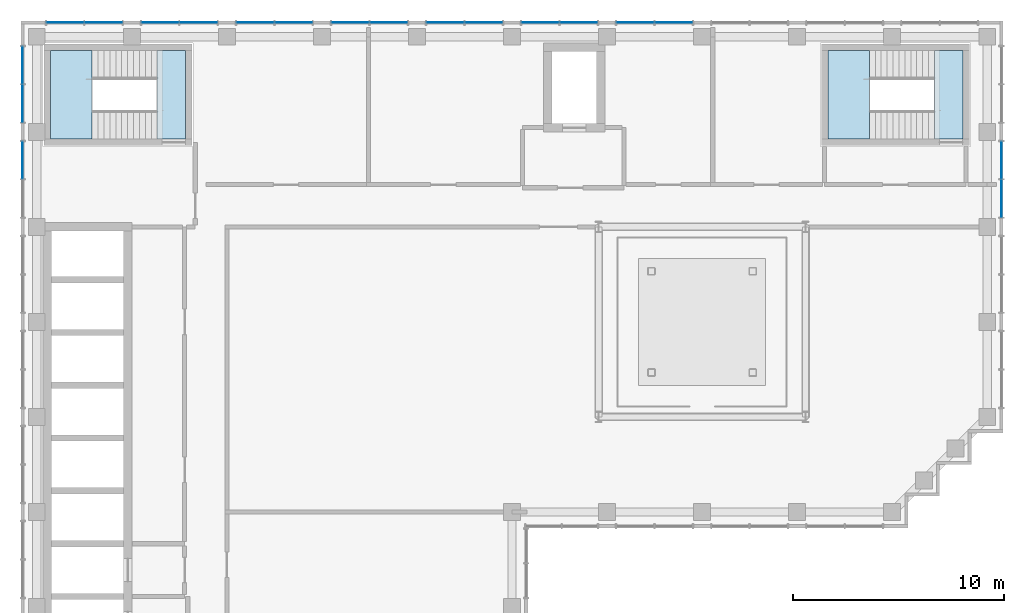
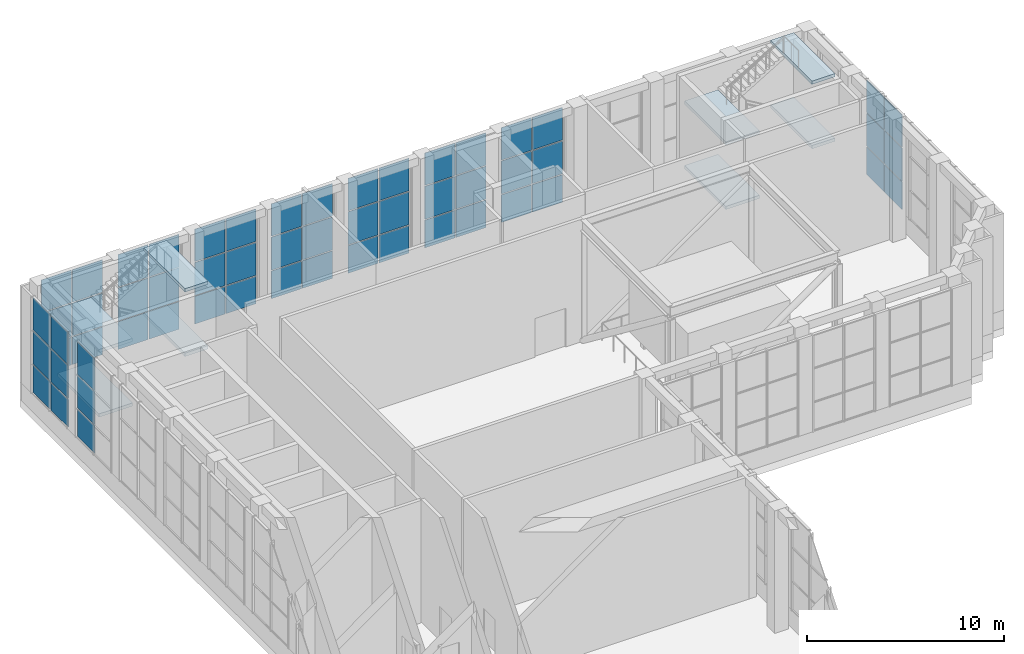
# One storey, part 11 of 17: 57 plates, 8 slabs, 12 elements without a shape of their own.
"""IFC4 building model written with IfcOpenShell, lengths in metres."""

from ifc_helpers import new_model, si_unit, direction, frame, origin, origin_2d, place, context, subcontext, project, spatial, polyline, rectangle, outline, extrude, material, layer, layer_set, type_object, element, aggregate, save


model = new_model("IFC4")

# Units and contexts
model_context = context("Model", 3, precision=1e-05, world=origin(), true_north=direction((0.0, 1.0)))
body_context = subcontext(model_context, "Body", "Model", "MODEL_VIEW")
ifc_project = project(units=[si_unit("LENGTHUNIT", "METRE"), si_unit("AREAUNIT", "SQUARE_METRE"), si_unit("VOLUMEUNIT", "CUBIC_METRE"), si_unit("PLANEANGLEUNIT", "RADIAN"), si_unit("MASSUNIT", "GRAM", prefix="KILO")], contexts=[model_context])

# Site, building, storey
site_placement = place(None, origin())
site = spatial("IfcSite", under=ifc_project, at=site_placement, CompositionType="ELEMENT")
building_placement = place(site_placement, origin())
building = spatial("IfcBuilding", under=site, at=building_placement, Name="Firuza Court", CompositionType="ELEMENT")
storey_placement = place(building_placement, frame((0.0, 0.0, 258.199951171875)))
storey = spatial("IfcBuildingStorey", under=building, at=storey_placement, Name="L67", CompositionType="ELEMENT", Elevation=258.199951171875)

# Curtain wall, plates
ifc_material_1 = material(Name="Aluminium curtain wall, triple clear glazing", Category="aluminium")
curtain_wall_type = type_object("IfcCurtainWallType", Name="Damper hall structural glazing CW4", PredefinedType="NOTDEFINED", material=ifc_material_1)
curtain_wall_1_placement = place(storey_placement, origin())
curtain_wall_1 = element("IfcCurtainWall", 1, at=curtain_wall_1_placement, inside=storey, type_object=curtain_wall_type, Name="Damper hall structural glazing CW4 L67", PredefinedType="NOTDEFINED")
ifc_material_2 = material(Name="Triple clear glazing", Category="glass")
ifc_layer_1 = layer(ifc_material_2, 0.031982421875)
ifc_layer_set_1 = layer_set([ifc_layer_1], Name="Triple clear glazing")
plate_type = type_object("IfcPlateType", Name="Glazed panel 32 CW4", PredefinedType="CURTAIN_PANEL", material=ifc_layer_set_1)
plate_1_placement = place(storey_placement, frame((45.669921875, 50.840087890625, 1.16015625), z_axis=(0.0, 0.0, 1.0), x_axis=(0.0, 1.0, 0.0)))
plate_1 = element("IfcPlate", 2, at=plate_1_placement, type_object=plate_type, Name="CW4 panel 1.1", PredefinedType="CURTAIN_PANEL", context=body_context, shape_type="SweptSolid", body=[
    extrude(rectangle(XDim=1.760009765625, YDim=0.031982421875, at=origin_2d()), origin(), (0.0, 0.0, 1.0), 1.7099609375),
])
plate_2_placement = place(storey_placement, frame((45.669921875, 50.840087890625, 2.929931640625), z_axis=(0.0, 0.0, 1.0), x_axis=(0.0, 1.0, 0.0)))
plate_2 = element("IfcPlate", 3, at=plate_2_placement, type_object=plate_type, Name="CW4 panel 1.2", PredefinedType="CURTAIN_PANEL", context=body_context, shape_type="SweptSolid", body=[
    extrude(rectangle(XDim=1.760009765625, YDim=0.031982421875, at=origin_2d()), origin(), (0.0, 0.0, 1.0), 2.0400390625),
])
plate_3_placement = place(storey_placement, frame((45.669921875, 50.840087890625, 5.0302734375), z_axis=(0.0, 0.0, 1.0), x_axis=(0.0, 1.0, 0.0)))
plate_3 = element("IfcPlate", 4, at=plate_3_placement, type_object=plate_type, Name="CW4 panel 1.3", PredefinedType="CURTAIN_PANEL", context=body_context, shape_type="SweptSolid", body=[
    extrude(rectangle(XDim=1.760009765625, YDim=0.031982421875, at=origin_2d()), origin(), (0.0, 0.0, 1.0), 2.010009765625),
])
plate_4_placement = place(storey_placement, frame((45.669921875, 52.659912109375, 1.16015625), z_axis=(0.0, 0.0, 1.0), x_axis=(0.0, 1.0, 0.0)))
plate_4 = element("IfcPlate", 5, at=plate_4_placement, type_object=plate_type, Name="CW4 panel 2.1", PredefinedType="CURTAIN_PANEL", context=body_context, shape_type="SweptSolid", body=[
    extrude(rectangle(XDim=1.760009765625, YDim=0.031982421875, at=origin_2d()), origin(), (0.0, 0.0, 1.0), 1.7099609375),
])
plate_5_placement = place(storey_placement, frame((45.669921875, 52.659912109375, 2.929931640625), z_axis=(0.0, 0.0, 1.0), x_axis=(0.0, 1.0, 0.0)))
plate_5 = element("IfcPlate", 6, at=plate_5_placement, type_object=plate_type, Name="CW4 panel 2.2", PredefinedType="CURTAIN_PANEL", context=body_context, shape_type="SweptSolid", body=[
    extrude(rectangle(XDim=1.760009765625, YDim=0.031982421875, at=origin_2d()), origin(), (0.0, 0.0, 1.0), 2.0400390625),
])
plate_6_placement = place(storey_placement, frame((45.669921875, 52.659912109375, 5.0302734375), z_axis=(0.0, 0.0, 1.0), x_axis=(0.0, 1.0, 0.0)))
plate_6 = element("IfcPlate", 7, at=plate_6_placement, type_object=plate_type, Name="CW4 panel 2.3", PredefinedType="CURTAIN_PANEL", context=body_context, shape_type="SweptSolid", body=[
    extrude(rectangle(XDim=1.760009765625, YDim=0.031982421875, at=origin_2d()), origin(), (0.0, 0.0, 1.0), 2.010009765625),
])
aggregate(curtain_wall_1, [plate_1, plate_2, plate_3, plate_4, plate_5, plate_6])

curtain_wall_2_placement = place(storey_placement, origin())
curtain_wall_2 = element("IfcCurtainWall", 8, at=curtain_wall_2_placement, inside=storey, type_object=curtain_wall_type, Name="Damper hall structural glazing CW4 L67", PredefinedType="NOTDEFINED")
plate_7_placement = place(storey_placement, frame((30.159912109375, 59.169921875, 1.16015625), z_axis=(0.0, 0.0, 1.0), x_axis=(-1.0, 0.0, 0.0)))
plate_7 = element("IfcPlate", 9, at=plate_7_placement, type_object=plate_type, Name="CW4 panel 1.1", PredefinedType="CURTAIN_PANEL", context=body_context, shape_type="SweptSolid", body=[
    extrude(rectangle(XDim=1.760009765625, YDim=0.031982421875, at=origin_2d()), origin(), (0.0, 0.0, 1.0), 1.7099609375),
])
plate_8_placement = place(storey_placement, frame((30.159912109375, 59.169921875, 2.929931640625), z_axis=(0.0, 0.0, 1.0), x_axis=(-1.0, 0.0, 0.0)))
plate_8 = element("IfcPlate", 10, at=plate_8_placement, type_object=plate_type, Name="CW4 panel 1.2", PredefinedType="CURTAIN_PANEL", context=body_context, shape_type="SweptSolid", body=[
    extrude(rectangle(XDim=1.760009765625, YDim=0.031982421875, at=origin_2d()), origin(), (0.0, 0.0, 1.0), 2.0400390625),
])
plate_9_placement = place(storey_placement, frame((30.159912109375, 59.169921875, 5.0302734375), z_axis=(0.0, 0.0, 1.0), x_axis=(-1.0, 0.0, 0.0)))
plate_9 = element("IfcPlate", 11, at=plate_9_placement, type_object=plate_type, Name="CW4 panel 1.3", PredefinedType="CURTAIN_PANEL", context=body_context, shape_type="SweptSolid", body=[
    extrude(rectangle(XDim=1.760009765625, YDim=0.031982421875, at=origin_2d()), origin(), (0.0, 0.0, 1.0), 2.010009765625),
])
plate_10_placement = place(storey_placement, frame((28.340087890625, 59.169921875, 1.16015625), z_axis=(0.0, 0.0, 1.0), x_axis=(-1.0, 0.0, 0.0)))
plate_10 = element("IfcPlate", 12, at=plate_10_placement, type_object=plate_type, Name="CW4 panel 2.1", PredefinedType="CURTAIN_PANEL", context=body_context, shape_type="SweptSolid", body=[
    extrude(rectangle(XDim=1.760009765625, YDim=0.031982421875, at=origin_2d()), origin(), (0.0, 0.0, 1.0), 1.7099609375),
])
plate_11_placement = place(storey_placement, frame((28.340087890625, 59.169921875, 2.929931640625), z_axis=(0.0, 0.0, 1.0), x_axis=(-1.0, 0.0, 0.0)))
plate_11 = element("IfcPlate", 13, at=plate_11_placement, type_object=plate_type, Name="CW4 panel 2.2", PredefinedType="CURTAIN_PANEL", context=body_context, shape_type="SweptSolid", body=[
    extrude(rectangle(XDim=1.760009765625, YDim=0.031982421875, at=origin_2d()), origin(), (0.0, 0.0, 1.0), 2.0400390625),
])
plate_12_placement = place(storey_placement, frame((28.340087890625, 59.169921875, 5.0302734375), z_axis=(0.0, 0.0, 1.0), x_axis=(-1.0, 0.0, 0.0)))
plate_12 = element("IfcPlate", 14, at=plate_12_placement, type_object=plate_type, Name="CW4 panel 2.3", PredefinedType="CURTAIN_PANEL", context=body_context, shape_type="SweptSolid", body=[
    extrude(rectangle(XDim=1.760009765625, YDim=0.031982421875, at=origin_2d()), origin(), (0.0, 0.0, 1.0), 2.010009765625),
])
aggregate(curtain_wall_2, [plate_7, plate_8, plate_9, plate_10, plate_11, plate_12])

curtain_wall_3_placement = place(storey_placement, origin())
curtain_wall_3 = element("IfcCurtainWall", 15, at=curtain_wall_3_placement, inside=storey, type_object=curtain_wall_type, Name="Damper hall structural glazing CW4 L67", PredefinedType="NOTDEFINED")
plate_13_placement = place(storey_placement, frame((25.659912109375, 59.169921875, 1.16015625), z_axis=(0.0, 0.0, 1.0), x_axis=(-1.0, 0.0, 0.0)))
plate_13 = element("IfcPlate", 16, at=plate_13_placement, type_object=plate_type, Name="CW4 panel 1.1", PredefinedType="CURTAIN_PANEL", context=body_context, shape_type="SweptSolid", body=[
    extrude(rectangle(XDim=1.760009765625, YDim=0.031982421875, at=origin_2d()), origin(), (0.0, 0.0, 1.0), 1.7099609375),
])
plate_14_placement = place(storey_placement, frame((25.659912109375, 59.169921875, 2.929931640625), z_axis=(0.0, 0.0, 1.0), x_axis=(-1.0, 0.0, 0.0)))
plate_14 = element("IfcPlate", 17, at=plate_14_placement, type_object=plate_type, Name="CW4 panel 1.2", PredefinedType="CURTAIN_PANEL", context=body_context, shape_type="SweptSolid", body=[
    extrude(rectangle(XDim=1.760009765625, YDim=0.031982421875, at=origin_2d()), origin(), (0.0, 0.0, 1.0), 2.0400390625),
])
plate_15_placement = place(storey_placement, frame((25.659912109375, 59.169921875, 5.0302734375), z_axis=(0.0, 0.0, 1.0), x_axis=(-1.0, 0.0, 0.0)))
plate_15 = element("IfcPlate", 18, at=plate_15_placement, type_object=plate_type, Name="CW4 panel 1.3", PredefinedType="CURTAIN_PANEL", context=body_context, shape_type="SweptSolid", body=[
    extrude(rectangle(XDim=1.760009765625, YDim=0.031982421875, at=origin_2d()), origin(), (0.0, 0.0, 1.0), 2.010009765625),
])
plate_16_placement = place(storey_placement, frame((23.840087890625, 59.169921875, 1.16015625), z_axis=(0.0, 0.0, 1.0), x_axis=(-1.0, 0.0, 0.0)))
plate_16 = element("IfcPlate", 19, at=plate_16_placement, type_object=plate_type, Name="CW4 panel 2.1", PredefinedType="CURTAIN_PANEL", context=body_context, shape_type="SweptSolid", body=[
    extrude(rectangle(XDim=1.760009765625, YDim=0.031982421875, at=origin_2d()), origin(), (0.0, 0.0, 1.0), 1.7099609375),
])
plate_17_placement = place(storey_placement, frame((23.840087890625, 59.169921875, 2.929931640625), z_axis=(0.0, 0.0, 1.0), x_axis=(-1.0, 0.0, 0.0)))
plate_17 = element("IfcPlate", 20, at=plate_17_placement, type_object=plate_type, Name="CW4 panel 2.2", PredefinedType="CURTAIN_PANEL", context=body_context, shape_type="SweptSolid", body=[
    extrude(rectangle(XDim=1.760009765625, YDim=0.031982421875, at=origin_2d()), origin(), (0.0, 0.0, 1.0), 2.0400390625),
])
plate_18_placement = place(storey_placement, frame((23.840087890625, 59.169921875, 5.0302734375), z_axis=(0.0, 0.0, 1.0), x_axis=(-1.0, 0.0, 0.0)))
plate_18 = element("IfcPlate", 21, at=plate_18_placement, type_object=plate_type, Name="CW4 panel 2.3", PredefinedType="CURTAIN_PANEL", context=body_context, shape_type="SweptSolid", body=[
    extrude(rectangle(XDim=1.760009765625, YDim=0.031982421875, at=origin_2d()), origin(), (0.0, 0.0, 1.0), 2.010009765625),
])
aggregate(curtain_wall_3, [plate_13, plate_14, plate_15, plate_16, plate_17, plate_18])

curtain_wall_4_placement = place(storey_placement, origin())
curtain_wall_4 = element("IfcCurtainWall", 22, at=curtain_wall_4_placement, inside=storey, type_object=curtain_wall_type, Name="Damper hall structural glazing CW4 L67", PredefinedType="NOTDEFINED")
plate_19_placement = place(storey_placement, frame((21.159912109375, 59.169921875, 1.16015625), z_axis=(0.0, 0.0, 1.0), x_axis=(-1.0, 0.0, 0.0)))
plate_19 = element("IfcPlate", 23, at=plate_19_placement, type_object=plate_type, Name="CW4 panel 1.1", PredefinedType="CURTAIN_PANEL", context=body_context, shape_type="SweptSolid", body=[
    extrude(rectangle(XDim=1.760009765625, YDim=0.031982421875, at=origin_2d()), origin(), (0.0, 0.0, 1.0), 1.7099609375),
])
plate_20_placement = place(storey_placement, frame((21.159912109375, 59.169921875, 2.929931640625), z_axis=(0.0, 0.0, 1.0), x_axis=(-1.0, 0.0, 0.0)))
plate_20 = element("IfcPlate", 24, at=plate_20_placement, type_object=plate_type, Name="CW4 panel 1.2", PredefinedType="CURTAIN_PANEL", context=body_context, shape_type="SweptSolid", body=[
    extrude(rectangle(XDim=1.760009765625, YDim=0.031982421875, at=origin_2d()), origin(), (0.0, 0.0, 1.0), 2.0400390625),
])
plate_21_placement = place(storey_placement, frame((21.159912109375, 59.169921875, 5.0302734375), z_axis=(0.0, 0.0, 1.0), x_axis=(-1.0, 0.0, 0.0)))
plate_21 = element("IfcPlate", 25, at=plate_21_placement, type_object=plate_type, Name="CW4 panel 1.3", PredefinedType="CURTAIN_PANEL", context=body_context, shape_type="SweptSolid", body=[
    extrude(rectangle(XDim=1.760009765625, YDim=0.031982421875, at=origin_2d()), origin(), (0.0, 0.0, 1.0), 2.010009765625),
])
plate_22_placement = place(storey_placement, frame((19.340087890625, 59.169921875, 1.16015625), z_axis=(0.0, 0.0, 1.0), x_axis=(-1.0, 0.0, 0.0)))
plate_22 = element("IfcPlate", 26, at=plate_22_placement, type_object=plate_type, Name="CW4 panel 2.1", PredefinedType="CURTAIN_PANEL", context=body_context, shape_type="SweptSolid", body=[
    extrude(rectangle(XDim=1.760009765625, YDim=0.031982421875, at=origin_2d()), origin(), (0.0, 0.0, 1.0), 1.7099609375),
])
plate_23_placement = place(storey_placement, frame((19.340087890625, 59.169921875, 2.929931640625), z_axis=(0.0, 0.0, 1.0), x_axis=(-1.0, 0.0, 0.0)))
plate_23 = element("IfcPlate", 27, at=plate_23_placement, type_object=plate_type, Name="CW4 panel 2.2", PredefinedType="CURTAIN_PANEL", context=body_context, shape_type="SweptSolid", body=[
    extrude(rectangle(XDim=1.760009765625, YDim=0.031982421875, at=origin_2d()), origin(), (0.0, 0.0, 1.0), 2.0400390625),
])
plate_24_placement = place(storey_placement, frame((19.340087890625, 59.169921875, 5.0302734375), z_axis=(0.0, 0.0, 1.0), x_axis=(-1.0, 0.0, 0.0)))
plate_24 = element("IfcPlate", 28, at=plate_24_placement, type_object=plate_type, Name="CW4 panel 2.3", PredefinedType="CURTAIN_PANEL", context=body_context, shape_type="SweptSolid", body=[
    extrude(rectangle(XDim=1.760009765625, YDim=0.031982421875, at=origin_2d()), origin(), (0.0, 0.0, 1.0), 2.010009765625),
])
aggregate(curtain_wall_4, [plate_19, plate_20, plate_21, plate_22, plate_23, plate_24])

curtain_wall_5_placement = place(storey_placement, origin())
curtain_wall_5 = element("IfcCurtainWall", 29, at=curtain_wall_5_placement, inside=storey, type_object=curtain_wall_type, Name="Damper hall structural glazing CW4 L67", PredefinedType="NOTDEFINED")
plate_25_placement = place(storey_placement, frame((16.659912109375, 59.169921875, 1.16015625), z_axis=(0.0, 0.0, 1.0), x_axis=(-1.0, 0.0, 0.0)))
plate_25 = element("IfcPlate", 30, at=plate_25_placement, type_object=plate_type, Name="CW4 panel 1.1", PredefinedType="CURTAIN_PANEL", context=body_context, shape_type="SweptSolid", body=[
    extrude(rectangle(XDim=1.760009765625, YDim=0.031982421875, at=origin_2d()), origin(), (0.0, 0.0, 1.0), 1.7099609375),
])
plate_26_placement = place(storey_placement, frame((16.659912109375, 59.169921875, 2.929931640625), z_axis=(0.0, 0.0, 1.0), x_axis=(-1.0, 0.0, 0.0)))
plate_26 = element("IfcPlate", 31, at=plate_26_placement, type_object=plate_type, Name="CW4 panel 1.2", PredefinedType="CURTAIN_PANEL", context=body_context, shape_type="SweptSolid", body=[
    extrude(rectangle(XDim=1.760009765625, YDim=0.031982421875, at=origin_2d()), origin(), (0.0, 0.0, 1.0), 2.0400390625),
])
plate_27_placement = place(storey_placement, frame((16.659912109375, 59.169921875, 5.0302734375), z_axis=(0.0, 0.0, 1.0), x_axis=(-1.0, 0.0, 0.0)))
plate_27 = element("IfcPlate", 32, at=plate_27_placement, type_object=plate_type, Name="CW4 panel 1.3", PredefinedType="CURTAIN_PANEL", context=body_context, shape_type="SweptSolid", body=[
    extrude(rectangle(XDim=1.760009765625, YDim=0.031982421875, at=origin_2d()), origin(), (0.0, 0.0, 1.0), 2.010009765625),
])
plate_28_placement = place(storey_placement, frame((14.840087890625, 59.169921875, 1.16015625), z_axis=(0.0, 0.0, 1.0), x_axis=(-1.0, 0.0, 0.0)))
plate_28 = element("IfcPlate", 33, at=plate_28_placement, type_object=plate_type, Name="CW4 panel 2.1", PredefinedType="CURTAIN_PANEL", context=body_context, shape_type="SweptSolid", body=[
    extrude(rectangle(XDim=1.760009765625, YDim=0.031982421875, at=origin_2d()), origin(), (0.0, 0.0, 1.0), 1.7099609375),
])
plate_29_placement = place(storey_placement, frame((14.840087890625, 59.169921875, 2.929931640625), z_axis=(0.0, 0.0, 1.0), x_axis=(-1.0, 0.0, 0.0)))
plate_29 = element("IfcPlate", 34, at=plate_29_placement, type_object=plate_type, Name="CW4 panel 2.2", PredefinedType="CURTAIN_PANEL", context=body_context, shape_type="SweptSolid", body=[
    extrude(rectangle(XDim=1.760009765625, YDim=0.031982421875, at=origin_2d()), origin(), (0.0, 0.0, 1.0), 2.0400390625),
])
plate_30_placement = place(storey_placement, frame((14.840087890625, 59.169921875, 5.0302734375), z_axis=(0.0, 0.0, 1.0), x_axis=(-1.0, 0.0, 0.0)))
plate_30 = element("IfcPlate", 35, at=plate_30_placement, type_object=plate_type, Name="CW4 panel 2.3", PredefinedType="CURTAIN_PANEL", context=body_context, shape_type="SweptSolid", body=[
    extrude(rectangle(XDim=1.760009765625, YDim=0.031982421875, at=origin_2d()), origin(), (0.0, 0.0, 1.0), 2.010009765625),
])
aggregate(curtain_wall_5, [plate_25, plate_26, plate_27, plate_28, plate_29, plate_30])

curtain_wall_6_placement = place(storey_placement, origin())
curtain_wall_6 = element("IfcCurtainWall", 36, at=curtain_wall_6_placement, inside=storey, type_object=curtain_wall_type, Name="Damper hall structural glazing CW4 L67", PredefinedType="NOTDEFINED")
plate_31_placement = place(storey_placement, frame((12.159912109375, 59.169921875, 1.16015625), z_axis=(0.0, 0.0, 1.0), x_axis=(-1.0, 0.0, 0.0)))
plate_31 = element("IfcPlate", 37, at=plate_31_placement, type_object=plate_type, Name="CW4 panel 1.1", PredefinedType="CURTAIN_PANEL", context=body_context, shape_type="SweptSolid", body=[
    extrude(rectangle(XDim=1.760009765625, YDim=0.031982421875, at=origin_2d()), origin(), (0.0, 0.0, 1.0), 1.7099609375),
])
plate_32_placement = place(storey_placement, frame((12.159912109375, 59.169921875, 2.929931640625), z_axis=(0.0, 0.0, 1.0), x_axis=(-1.0, 0.0, 0.0)))
plate_32 = element("IfcPlate", 38, at=plate_32_placement, type_object=plate_type, Name="CW4 panel 1.2", PredefinedType="CURTAIN_PANEL", context=body_context, shape_type="SweptSolid", body=[
    extrude(rectangle(XDim=1.760009765625, YDim=0.031982421875, at=origin_2d()), origin(), (0.0, 0.0, 1.0), 2.0400390625),
])
plate_33_placement = place(storey_placement, frame((12.159912109375, 59.169921875, 5.0302734375), z_axis=(0.0, 0.0, 1.0), x_axis=(-1.0, 0.0, 0.0)))
plate_33 = element("IfcPlate", 39, at=plate_33_placement, type_object=plate_type, Name="CW4 panel 1.3", PredefinedType="CURTAIN_PANEL", context=body_context, shape_type="SweptSolid", body=[
    extrude(rectangle(XDim=1.760009765625, YDim=0.031982421875, at=origin_2d()), origin(), (0.0, 0.0, 1.0), 2.010009765625),
])
plate_34_placement = place(storey_placement, frame((10.340087890625, 59.169921875, 1.16015625), z_axis=(0.0, 0.0, 1.0), x_axis=(-1.0, 0.0, 0.0)))
plate_34 = element("IfcPlate", 40, at=plate_34_placement, type_object=plate_type, Name="CW4 panel 2.1", PredefinedType="CURTAIN_PANEL", context=body_context, shape_type="SweptSolid", body=[
    extrude(rectangle(XDim=1.760009765625, YDim=0.031982421875, at=origin_2d()), origin(), (0.0, 0.0, 1.0), 1.7099609375),
])
plate_35_placement = place(storey_placement, frame((10.340087890625, 59.169921875, 2.929931640625), z_axis=(0.0, 0.0, 1.0), x_axis=(-1.0, 0.0, 0.0)))
plate_35 = element("IfcPlate", 41, at=plate_35_placement, type_object=plate_type, Name="CW4 panel 2.2", PredefinedType="CURTAIN_PANEL", context=body_context, shape_type="SweptSolid", body=[
    extrude(rectangle(XDim=1.760009765625, YDim=0.031982421875, at=origin_2d()), origin(), (0.0, 0.0, 1.0), 2.0400390625),
])
plate_36_placement = place(storey_placement, frame((10.340087890625, 59.169921875, 5.0302734375), z_axis=(0.0, 0.0, 1.0), x_axis=(-1.0, 0.0, 0.0)))
plate_36 = element("IfcPlate", 42, at=plate_36_placement, type_object=plate_type, Name="CW4 panel 2.3", PredefinedType="CURTAIN_PANEL", context=body_context, shape_type="SweptSolid", body=[
    extrude(rectangle(XDim=1.760009765625, YDim=0.031982421875, at=origin_2d()), origin(), (0.0, 0.0, 1.0), 2.010009765625),
])
aggregate(curtain_wall_6, [plate_31, plate_32, plate_33, plate_34, plate_35, plate_36])

curtain_wall_7_placement = place(storey_placement, origin())
curtain_wall_7 = element("IfcCurtainWall", 43, at=curtain_wall_7_placement, inside=storey, type_object=curtain_wall_type, Name="Damper hall structural glazing CW4 L67", PredefinedType="NOTDEFINED")
plate_37_placement = place(storey_placement, frame((7.659912109375, 59.169921875, 1.16015625), z_axis=(0.0, 0.0, 1.0), x_axis=(-1.0, 0.0, 0.0)))
plate_37 = element("IfcPlate", 44, at=plate_37_placement, type_object=plate_type, Name="CW4 panel 1.1", PredefinedType="CURTAIN_PANEL", context=body_context, shape_type="SweptSolid", body=[
    extrude(rectangle(XDim=1.760009765625, YDim=0.031982421875, at=origin_2d()), origin(), (0.0, 0.0, 1.0), 1.7099609375),
])
plate_38_placement = place(storey_placement, frame((7.659912109375, 59.169921875, 2.929931640625), z_axis=(0.0, 0.0, 1.0), x_axis=(-1.0, 0.0, 0.0)))
plate_38 = element("IfcPlate", 45, at=plate_38_placement, type_object=plate_type, Name="CW4 panel 1.2", PredefinedType="CURTAIN_PANEL", context=body_context, shape_type="SweptSolid", body=[
    extrude(rectangle(XDim=1.760009765625, YDim=0.031982421875, at=origin_2d()), origin(), (0.0, 0.0, 1.0), 2.0400390625),
])
plate_39_placement = place(storey_placement, frame((7.659912109375, 59.169921875, 5.0302734375), z_axis=(0.0, 0.0, 1.0), x_axis=(-1.0, 0.0, 0.0)))
plate_39 = element("IfcPlate", 46, at=plate_39_placement, type_object=plate_type, Name="CW4 panel 1.3", PredefinedType="CURTAIN_PANEL", context=body_context, shape_type="SweptSolid", body=[
    extrude(rectangle(XDim=1.760009765625, YDim=0.031982421875, at=origin_2d()), origin(), (0.0, 0.0, 1.0), 2.010009765625),
])
plate_40_placement = place(storey_placement, frame((5.840087890625, 59.169921875, 1.16015625), z_axis=(0.0, 0.0, 1.0), x_axis=(-1.0, 0.0, 0.0)))
plate_40 = element("IfcPlate", 47, at=plate_40_placement, type_object=plate_type, Name="CW4 panel 2.1", PredefinedType="CURTAIN_PANEL", context=body_context, shape_type="SweptSolid", body=[
    extrude(rectangle(XDim=1.760009765625, YDim=0.031982421875, at=origin_2d()), origin(), (0.0, 0.0, 1.0), 1.7099609375),
])
plate_41_placement = place(storey_placement, frame((5.840087890625, 59.169921875, 2.929931640625), z_axis=(0.0, 0.0, 1.0), x_axis=(-1.0, 0.0, 0.0)))
plate_41 = element("IfcPlate", 48, at=plate_41_placement, type_object=plate_type, Name="CW4 panel 2.2", PredefinedType="CURTAIN_PANEL", context=body_context, shape_type="SweptSolid", body=[
    extrude(rectangle(XDim=1.760009765625, YDim=0.031982421875, at=origin_2d()), origin(), (0.0, 0.0, 1.0), 2.0400390625),
])
plate_42_placement = place(storey_placement, frame((5.840087890625, 59.169921875, 5.0302734375), z_axis=(0.0, 0.0, 1.0), x_axis=(-1.0, 0.0, 0.0)))
plate_42 = element("IfcPlate", 49, at=plate_42_placement, type_object=plate_type, Name="CW4 panel 2.3", PredefinedType="CURTAIN_PANEL", context=body_context, shape_type="SweptSolid", body=[
    extrude(rectangle(XDim=1.760009765625, YDim=0.031982421875, at=origin_2d()), origin(), (0.0, 0.0, 1.0), 2.010009765625),
])
aggregate(curtain_wall_7, [plate_37, plate_38, plate_39, plate_40, plate_41, plate_42])

curtain_wall_8_placement = place(storey_placement, origin())
curtain_wall_8 = element("IfcCurtainWall", 50, at=curtain_wall_8_placement, inside=storey, type_object=curtain_wall_type, Name="Damper hall structural glazing CW4 L67", PredefinedType="NOTDEFINED")
plate_43_placement = place(storey_placement, frame((3.159912109375, 59.169921875, 1.16015625), z_axis=(0.0, 0.0, 1.0), x_axis=(-1.0, 0.0, 0.0)))
plate_43 = element("IfcPlate", 51, at=plate_43_placement, type_object=plate_type, Name="CW4 panel 1.1", PredefinedType="CURTAIN_PANEL", context=body_context, shape_type="SweptSolid", body=[
    extrude(rectangle(XDim=1.760009765625, YDim=0.031982421875, at=origin_2d()), origin(), (0.0, 0.0, 1.0), 1.7099609375),
])
plate_44_placement = place(storey_placement, frame((3.159912109375, 59.169921875, 2.929931640625), z_axis=(0.0, 0.0, 1.0), x_axis=(-1.0, 0.0, 0.0)))
plate_44 = element("IfcPlate", 52, at=plate_44_placement, type_object=plate_type, Name="CW4 panel 1.2", PredefinedType="CURTAIN_PANEL", context=body_context, shape_type="SweptSolid", body=[
    extrude(rectangle(XDim=1.760009765625, YDim=0.031982421875, at=origin_2d()), origin(), (0.0, 0.0, 1.0), 2.0400390625),
])
plate_45_placement = place(storey_placement, frame((3.159912109375, 59.169921875, 5.0302734375), z_axis=(0.0, 0.0, 1.0), x_axis=(-1.0, 0.0, 0.0)))
plate_45 = element("IfcPlate", 53, at=plate_45_placement, type_object=plate_type, Name="CW4 panel 1.3", PredefinedType="CURTAIN_PANEL", context=body_context, shape_type="SweptSolid", body=[
    extrude(rectangle(XDim=1.760009765625, YDim=0.031982421875, at=origin_2d()), origin(), (0.0, 0.0, 1.0), 2.010009765625),
])
plate_46_placement = place(storey_placement, frame((1.340087890625, 59.169921875, 1.16015625), z_axis=(0.0, 0.0, 1.0), x_axis=(-1.0, 0.0, 0.0)))
plate_46 = element("IfcPlate", 54, at=plate_46_placement, type_object=plate_type, Name="CW4 panel 2.1", PredefinedType="CURTAIN_PANEL", context=body_context, shape_type="SweptSolid", body=[
    extrude(rectangle(XDim=1.760009765625, YDim=0.031982421875, at=origin_2d()), origin(), (0.0, 0.0, 1.0), 1.7099609375),
])
plate_47_placement = place(storey_placement, frame((1.340087890625, 59.169921875, 2.929931640625), z_axis=(0.0, 0.0, 1.0), x_axis=(-1.0, 0.0, 0.0)))
plate_47 = element("IfcPlate", 55, at=plate_47_placement, type_object=plate_type, Name="CW4 panel 2.2", PredefinedType="CURTAIN_PANEL", context=body_context, shape_type="SweptSolid", body=[
    extrude(rectangle(XDim=1.760009765625, YDim=0.031982421875, at=origin_2d()), origin(), (0.0, 0.0, 1.0), 2.0400390625),
])
plate_48_placement = place(storey_placement, frame((1.340087890625, 59.169921875, 5.0302734375), z_axis=(0.0, 0.0, 1.0), x_axis=(-1.0, 0.0, 0.0)))
plate_48 = element("IfcPlate", 56, at=plate_48_placement, type_object=plate_type, Name="CW4 panel 2.3", PredefinedType="CURTAIN_PANEL", context=body_context, shape_type="SweptSolid", body=[
    extrude(rectangle(XDim=1.760009765625, YDim=0.031982421875, at=origin_2d()), origin(), (0.0, 0.0, 1.0), 2.010009765625),
])
aggregate(curtain_wall_8, [plate_43, plate_44, plate_45, plate_46, plate_47, plate_48])

curtain_wall_9_placement = place(storey_placement, origin())
curtain_wall_9 = element("IfcCurtainWall", 57, at=curtain_wall_9_placement, inside=storey, type_object=curtain_wall_type, Name="Damper hall structural glazing CW4 L67", PredefinedType="NOTDEFINED")
plate_49_placement = place(storey_placement, frame((-0.669921875, 57.159912109375, 1.16015625), z_axis=(0.0, 0.0, 1.0), x_axis=(0.0, -1.0, 0.0)))
plate_49 = element("IfcPlate", 58, at=plate_49_placement, type_object=plate_type, Name="CW4 panel 1.1", PredefinedType="CURTAIN_PANEL", context=body_context, shape_type="SweptSolid", body=[
    extrude(rectangle(XDim=1.760009765625, YDim=0.031982421875, at=origin_2d()), origin(), (0.0, 0.0, 1.0), 1.7099609375),
])
plate_50_placement = place(storey_placement, frame((-0.669921875, 57.159912109375, 2.929931640625), z_axis=(0.0, 0.0, 1.0), x_axis=(0.0, -1.0, 0.0)))
plate_50 = element("IfcPlate", 59, at=plate_50_placement, type_object=plate_type, Name="CW4 panel 1.2", PredefinedType="CURTAIN_PANEL", context=body_context, shape_type="SweptSolid", body=[
    extrude(rectangle(XDim=1.760009765625, YDim=0.031982421875, at=origin_2d()), origin(), (0.0, 0.0, 1.0), 2.0400390625),
])
plate_51_placement = place(storey_placement, frame((-0.669921875, 57.159912109375, 5.0302734375), z_axis=(0.0, 0.0, 1.0), x_axis=(0.0, -1.0, 0.0)))
plate_51 = element("IfcPlate", 60, at=plate_51_placement, type_object=plate_type, Name="CW4 panel 1.3", PredefinedType="CURTAIN_PANEL", context=body_context, shape_type="SweptSolid", body=[
    extrude(rectangle(XDim=1.760009765625, YDim=0.031982421875, at=origin_2d()), origin(), (0.0, 0.0, 1.0), 2.010009765625),
])
plate_52_placement = place(storey_placement, frame((-0.669921875, 55.340087890625, 1.16015625), z_axis=(0.0, 0.0, 1.0), x_axis=(0.0, -1.0, 0.0)))
plate_52 = element("IfcPlate", 61, at=plate_52_placement, type_object=plate_type, Name="CW4 panel 2.1", PredefinedType="CURTAIN_PANEL", context=body_context, shape_type="SweptSolid", body=[
    extrude(rectangle(XDim=1.760009765625, YDim=0.031982421875, at=origin_2d()), origin(), (0.0, 0.0, 1.0), 1.7099609375),
])
plate_53_placement = place(storey_placement, frame((-0.669921875, 55.340087890625, 2.929931640625), z_axis=(0.0, 0.0, 1.0), x_axis=(0.0, -1.0, 0.0)))
plate_53 = element("IfcPlate", 62, at=plate_53_placement, type_object=plate_type, Name="CW4 panel 2.2", PredefinedType="CURTAIN_PANEL", context=body_context, shape_type="SweptSolid", body=[
    extrude(rectangle(XDim=1.760009765625, YDim=0.031982421875, at=origin_2d()), origin(), (0.0, 0.0, 1.0), 2.0400390625),
])
plate_54_placement = place(storey_placement, frame((-0.669921875, 55.340087890625, 5.0302734375), z_axis=(0.0, 0.0, 1.0), x_axis=(0.0, -1.0, 0.0)))
plate_54 = element("IfcPlate", 63, at=plate_54_placement, type_object=plate_type, Name="CW4 panel 2.3", PredefinedType="CURTAIN_PANEL", context=body_context, shape_type="SweptSolid", body=[
    extrude(rectangle(XDim=1.760009765625, YDim=0.031982421875, at=origin_2d()), origin(), (0.0, 0.0, 1.0), 2.010009765625),
])
aggregate(curtain_wall_9, [plate_49, plate_50, plate_51, plate_52, plate_53, plate_54])

curtain_wall_10_placement = place(storey_placement, origin())
curtain_wall_10 = element("IfcCurtainWall", 64, at=curtain_wall_10_placement, inside=storey, type_object=curtain_wall_type, Name="Damper hall structural glazing CW4 L67", PredefinedType="NOTDEFINED")
plate_55_placement = place(storey_placement, frame((-0.669921875, 52.659912109375, 1.16015625), z_axis=(0.0, 0.0, 1.0), x_axis=(0.0, -1.0, 0.0)))
plate_55 = element("IfcPlate", 65, at=plate_55_placement, type_object=plate_type, Name="CW4 panel 1.1", PredefinedType="CURTAIN_PANEL", context=body_context, shape_type="SweptSolid", body=[
    extrude(rectangle(XDim=1.760009765625, YDim=0.031982421875, at=origin_2d()), origin(), (0.0, 0.0, 1.0), 1.7099609375),
])
plate_56_placement = place(storey_placement, frame((-0.669921875, 52.659912109375, 2.929931640625), z_axis=(0.0, 0.0, 1.0), x_axis=(0.0, -1.0, 0.0)))
plate_56 = element("IfcPlate", 66, at=plate_56_placement, type_object=plate_type, Name="CW4 panel 1.2", PredefinedType="CURTAIN_PANEL", context=body_context, shape_type="SweptSolid", body=[
    extrude(rectangle(XDim=1.760009765625, YDim=0.031982421875, at=origin_2d()), origin(), (0.0, 0.0, 1.0), 2.0400390625),
])
plate_57_placement = place(storey_placement, frame((-0.669921875, 52.659912109375, 5.0302734375), z_axis=(0.0, 0.0, 1.0), x_axis=(0.0, -1.0, 0.0)))
plate_57 = element("IfcPlate", 67, at=plate_57_placement, type_object=plate_type, Name="CW4 panel 1.3", PredefinedType="CURTAIN_PANEL", context=body_context, shape_type="SweptSolid", body=[
    extrude(rectangle(XDim=1.760009765625, YDim=0.031982421875, at=origin_2d()), origin(), (0.0, 0.0, 1.0), 2.010009765625),
])
aggregate(curtain_wall_10, [plate_55, plate_56, plate_57])

# Stair, slabs
ifc_material_3 = material(Name="Concrete C40/50 precast", Category="concrete")
stair_type = type_object("IfcStairType", Name="Stair 1350 x 8000 4 flights", PredefinedType="QUARTER_TURN_STAIR", material=ifc_material_3)
stair_1_placement = place(storey_placement, origin())
stair_1 = element("IfcStair", 68, at=stair_1_placement, inside=storey, type_object=stair_type, Name="Stair 1 L67", PredefinedType="QUARTER_TURN_STAIR")
ifc_material_4 = material(Name="Concrete C40/50 precast", Category="concrete")
ifc_layer_2 = layer(ifc_material_4, 0.199951171875)
ifc_layer_set_2 = layer_set([ifc_layer_2], Name="Concrete C40/50 precast")
slab_type = type_object("IfcSlabType", Name="Stair landing 200", PredefinedType="LANDING", material=ifc_layer_set_2)
slab_1_placement = place(storey_placement, frame((0.0, 0.0, 1.800048828125)))
slab_1 = element("IfcSlab", 69, at=slab_1_placement, type_object=slab_type, Name="S1 landing 1", PredefinedType="LANDING", context=body_context, shape_type="SweptSolid", body=[
    extrude(outline(polyline([(39.419921875, 53.64990234375), (39.419921875, 57.85009765625), (37.449951171875, 57.85009765625), (37.449951171875, 53.64990234375), (39.419921875, 53.64990234375)])), origin(), (0.0, 0.0, 1.0), 0.199951171875),
])
slab_2_placement = place(storey_placement, frame((0.0, 0.0, 3.800048828125)))
slab_2 = element("IfcSlab", 70, at=slab_2_placement, type_object=slab_type, Name="S1 landing 2", PredefinedType="LANDING", context=body_context, shape_type="SweptSolid", body=[
    extrude(outline(polyline([(43.85009765625, 53.64990234375), (43.85009765625, 57.85009765625), (42.5, 57.85009765625), (42.5, 53.64990234375), (43.85009765625, 53.64990234375)])), origin(), (0.0, 0.0, 1.0), 0.199951171875),
])
slab_3_placement = place(storey_placement, frame((0.0, 0.0, 5.800048828125)))
slab_3 = element("IfcSlab", 71, at=slab_3_placement, type_object=slab_type, Name="S1 landing 3", PredefinedType="LANDING", context=body_context, shape_type="SweptSolid", body=[
    extrude(outline(polyline([(39.419921875, 53.64990234375), (39.419921875, 57.85009765625), (37.449951171875, 57.85009765625), (37.449951171875, 53.64990234375), (39.419921875, 53.64990234375)])), origin(), (0.0, 0.0, 1.0), 0.199951171875),
])
slab_4_placement = place(storey_placement, frame((0.0, 0.0, 7.800048828125)))
slab_4 = element("IfcSlab", 72, at=slab_4_placement, type_object=slab_type, Name="S1 landing 4", PredefinedType="LANDING", context=body_context, shape_type="SweptSolid", body=[
    extrude(outline(polyline([(43.85009765625, 53.64990234375), (43.85009765625, 57.85009765625), (42.5, 57.85009765625), (42.5, 53.64990234375), (43.85009765625, 53.64990234375)])), origin(), (0.0, 0.0, 1.0), 0.199951171875),
])
aggregate(stair_1, [slab_1, slab_2, slab_3, slab_4])

stair_2_placement = place(storey_placement, origin())
stair_2 = element("IfcStair", 73, at=stair_2_placement, inside=storey, type_object=stair_type, Name="Stair 3 L67", PredefinedType="QUARTER_TURN_STAIR")
slab_5_placement = place(storey_placement, frame((0.0, 0.0, 1.800048828125)))
slab_5 = element("IfcSlab", 74, at=slab_5_placement, type_object=slab_type, Name="S3 landing 1", PredefinedType="LANDING", context=body_context, shape_type="SweptSolid", body=[
    extrude(outline(polyline([(2.6201171875, 53.64990234375), (2.6201171875, 57.85009765625), (0.64990234375, 57.85009765625), (0.64990234375, 53.64990234375), (2.6201171875, 53.64990234375)])), origin(), (0.0, 0.0, 1.0), 0.199951171875),
])
slab_6_placement = place(storey_placement, frame((0.0, 0.0, 3.800048828125)))
slab_6 = element("IfcSlab", 75, at=slab_6_placement, type_object=slab_type, Name="S3 landing 2", PredefinedType="LANDING", context=body_context, shape_type="SweptSolid", body=[
    extrude(outline(polyline([(7.050048828125, 53.64990234375), (7.050048828125, 57.85009765625), (5.699951171875, 57.85009765625), (5.699951171875, 53.64990234375), (7.050048828125, 53.64990234375)])), origin(), (0.0, 0.0, 1.0), 0.199951171875),
])
slab_7_placement = place(storey_placement, frame((0.0, 0.0, 5.800048828125)))
slab_7 = element("IfcSlab", 76, at=slab_7_placement, type_object=slab_type, Name="S3 landing 3", PredefinedType="LANDING", context=body_context, shape_type="SweptSolid", body=[
    extrude(outline(polyline([(2.6201171875, 53.64990234375), (2.6201171875, 57.85009765625), (0.64990234375, 57.85009765625), (0.64990234375, 53.64990234375), (2.6201171875, 53.64990234375)])), origin(), (0.0, 0.0, 1.0), 0.199951171875),
])
slab_8_placement = place(storey_placement, frame((0.0, 0.0, 7.800048828125)))
slab_8 = element("IfcSlab", 77, at=slab_8_placement, type_object=slab_type, Name="S3 landing 4", PredefinedType="LANDING", context=body_context, shape_type="SweptSolid", body=[
    extrude(outline(polyline([(7.050048828125, 53.64990234375), (7.050048828125, 57.85009765625), (5.699951171875, 57.85009765625), (5.699951171875, 53.64990234375), (7.050048828125, 53.64990234375)])), origin(), (0.0, 0.0, 1.0), 0.199951171875),
])
aggregate(stair_2, [slab_5, slab_6, slab_7, slab_8])

save(model, "model.ifc")
